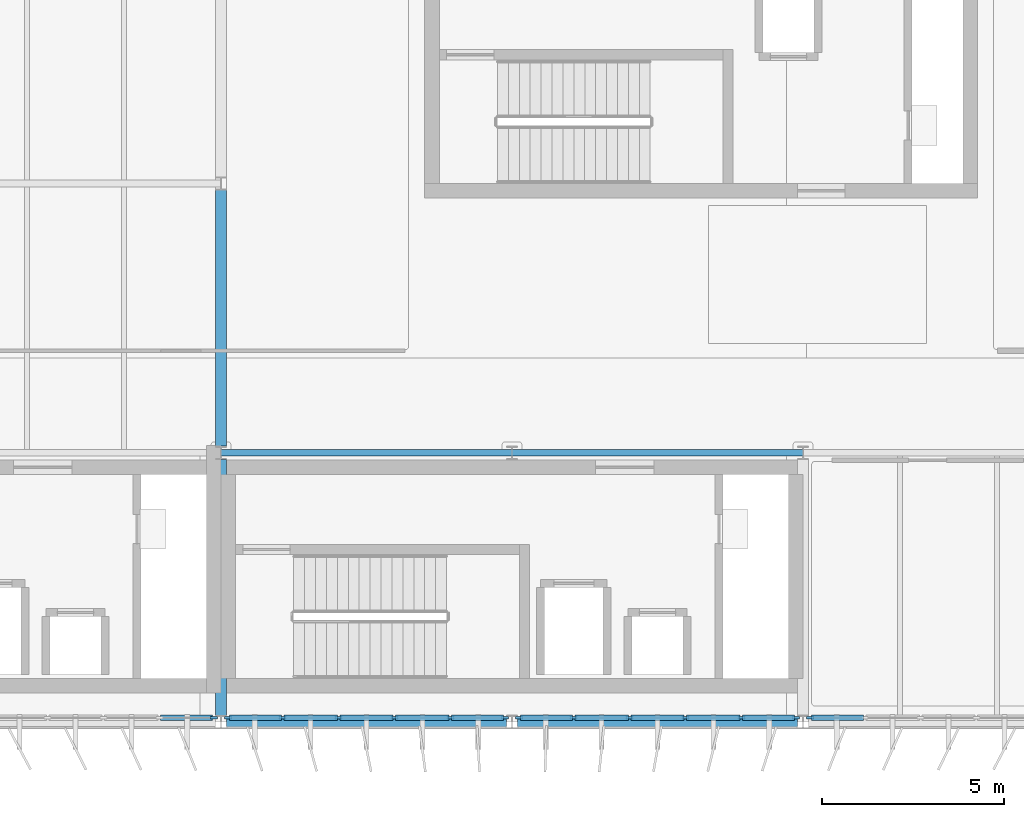
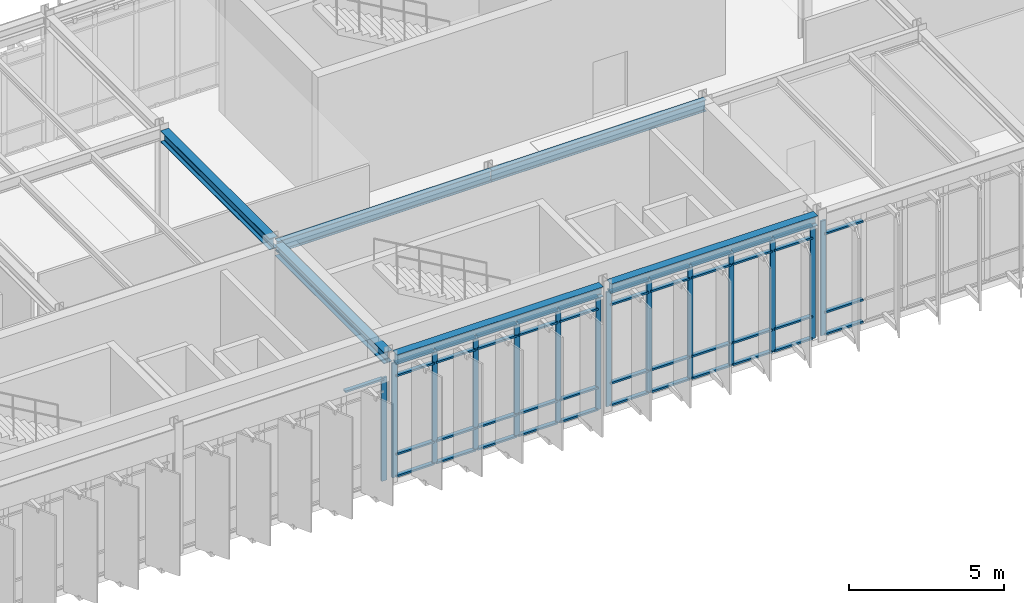
# One storey, part 12 of 48: 58 members, 6 beams, 4 elements without a shape of their own.
"""IFC4 building model written with IfcOpenShell, lengths in metres."""

from ifc_helpers import new_model, si_unit, direction, frame, origin, origin_2d, place, context, subcontext, project, spatial, rectangle, i_section, extrude, material, layer, layer_set, material_profile, profile_set, type_object, element, aggregate, save


model = new_model("IFC4")

# Units and contexts
model_context = context("Model", 3, precision=1e-05, world=origin(), true_north=direction((0.0, 1.0)))
body_context = subcontext(model_context, "Body", "Model", "MODEL_VIEW")
ifc_project = project(units=[si_unit("LENGTHUNIT", "METRE"), si_unit("AREAUNIT", "SQUARE_METRE"), si_unit("VOLUMEUNIT", "CUBIC_METRE"), si_unit("PLANEANGLEUNIT", "RADIAN"), si_unit("MASSUNIT", "GRAM", prefix="KILO")], contexts=[model_context])

# Site, building, storey
site_placement = place(None, origin())
site = spatial("IfcSite", under=ifc_project, at=site_placement, CompositionType="ELEMENT")
building_placement = place(site_placement, origin())
building = spatial("IfcBuilding", under=site, at=building_placement, Name="Valkorina Park Police Headquarters", CompositionType="ELEMENT")
storey_placement = place(building_placement, frame((0.0, 0.0, 18.10009765625)))
storey = spatial("IfcBuildingStorey", under=building, at=storey_placement, Name="L05", CompositionType="ELEMENT", Elevation=18.10009765625)

# Beams
ifc_material_1 = material(Name="Steel S355", Category="steel")
ifc_material_profile_1 = material_profile(ifc_material_1, i_section(OverallWidth=0.300048828125, OverallDepth=0.389892578125, WebThickness=0.010986328125, FlangeThickness=0.01904296875, FilletRadius=0.027099609375, at=origin_2d()), Name="HEA 400")
ifc_profile_set_1 = profile_set([ifc_material_profile_1], Name="Steel S355")
beam_type_1 = type_object("IfcBeamType", Name="BM-S355-HEA400-SPN", PredefinedType="SPANDREL", material=ifc_profile_set_1)
for number, where, z_axis, x_axis, name in (
    (1, (32.949951171875, 37.0, 4.784912109375), (1.0, 0.0, 0.0), (0.0, 1.0, 0.0), "L05 Framing Beam 2458"),
    (2, (40.949951171875, 37.0, 4.784912109375), (1.0, 0.0, 0.0), (0.0, 1.0, 0.0), "L05 Framing Beam 2459"),
):
    element("IfcBeam", number, at=place(storey_placement, frame(where, z_axis=z_axis, x_axis=x_axis)), inside=storey, type_object=beam_type_1, Name=name, PredefinedType="SPANDREL", context=body_context, shape_type="SweptSolid", body=[
        extrude(i_section(OverallWidth=0.300048828125, OverallDepth=0.389892578125, WebThickness=0.010986328125, FlangeThickness=0.01904296875, FilletRadius=0.027099609375, at=origin_2d()), origin(), (0.0, 0.0, 1.0), 7.699951171875),
    ])
ifc_material_profile_2 = material_profile(ifc_material_1, i_section(OverallWidth=0.300048828125, OverallDepth=0.449951171875, WebThickness=0.013916015625, FlangeThickness=0.02587890625, FilletRadius=0.027099609375, at=origin_2d()), Name="HEB 450")
ifc_profile_set_2 = profile_set([ifc_material_profile_2], Name="Steel S355")
beam_type_2 = type_object("IfcBeamType", Name="BM-S355-HEB450-BM", PredefinedType="BEAM", material=ifc_profile_set_2)
for number, where, z_axis, x_axis, name in (
    (3, (32.800048828125, 37.179931640625, 4.7548828125), (0.0, 1.0, 0.0), (-1.0, 0.0, 0.0), "L05 Framing Beam 2538"),
    (4, (32.800048828125, 44.580078125, 4.7548828125), (0.0, 1.0, 0.0), (-1.0, 0.0, 0.0), "L05 Framing Beam 2539"),
):
    element("IfcBeam", number, at=place(storey_placement, frame(where, z_axis=z_axis, x_axis=x_axis)), inside=storey, type_object=beam_type_2, Name=name, PredefinedType="BEAM", context=body_context, shape_type="SweptSolid", body=[
        extrude(i_section(OverallWidth=0.300048828125, OverallDepth=0.449951171875, WebThickness=0.013916015625, FlangeThickness=0.02587890625, FilletRadius=0.027099609375, at=origin_2d()), origin(), (0.0, 0.0, 1.0), 7.0400390625),
    ])
ifc_material_profile_3 = material_profile(ifc_material_1, i_section(OverallWidth=0.18994140625, OverallDepth=0.449951171875, WebThickness=0.009521484375, FlangeThickness=0.0146484375, FilletRadius=0.02099609375, at=origin_2d()), Name="IPE 450")
ifc_profile_set_3 = profile_set([ifc_material_profile_3], Name="Steel S355")
beam_type_3 = type_object("IfcBeamType", Name="BM-S355-IPE450-BM", PredefinedType="BEAM", material=ifc_profile_set_3)
for number, where, z_axis, x_axis, name in (
    (5, (32.806396484375, 44.39990234375, 4.7548828125), (1.0, 0.0, 0.0), (0.0, 1.0, 0.0), "L05 Framing Beam 2472"),
    (6, (40.806396484375, 44.39990234375, 4.7548828125), (1.0, 0.0, 0.0), (0.0, 1.0, 0.0), "L05 Framing Beam 2473"),
):
    element("IfcBeam", number, at=place(storey_placement, frame(where, z_axis=z_axis, x_axis=x_axis)), inside=storey, type_object=beam_type_3, Name=name, PredefinedType="BEAM", context=body_context, shape_type="SweptSolid", body=[
        extrude(i_section(OverallWidth=0.18994140625, OverallDepth=0.449951171875, WebThickness=0.009521484375, FlangeThickness=0.0146484375, FilletRadius=0.02099609375, at=origin_2d()), origin(), (0.0, 0.0, 1.0), 7.9873046875),
    ])

# Curtain wall, member
ifc_material_2 = material(Name="Thermally broken aluminium AW-6060", Category="aluminium")
ifc_layer_1 = layer(ifc_material_2, 0.18994140625)
ifc_layer_set_1 = layer_set([ifc_layer_1], Name="Thermally broken aluminium AW-6060")
curtain_wall_type_1 = type_object("IfcCurtainWallType", Name="CW-V5-7680x4520", PredefinedType="NOTDEFINED", material=ifc_layer_set_1)
curtain_wall_1_placement = place(storey_placement, origin())
curtain_wall_1 = element("IfcCurtainWall", 7, at=curtain_wall_1_placement, inside=storey, type_object=curtain_wall_type_1, Name="L05 Unitised Curtain Wall 068", PredefinedType="NOTDEFINED")
ifc_material_profile_4 = material_profile(ifc_material_2, rectangle(XDim=0.070068359375, YDim=0.18994140625, at=origin_2d()), Name="CWM-02 70x190")
ifc_profile_set_4 = profile_set([ifc_material_profile_4], Name="Thermally broken aluminium AW-6060")
member_type_1 = type_object("IfcMemberType", Name="CWM-70x190", PredefinedType="MULLION", material=ifc_profile_set_4)
member_1_placement = place(storey_placement, frame((48.9951171875, 37.1201171875, 0.0), z_axis=(0.0, 0.0, 1.0), x_axis=(0.0, -1.0, 0.0)))
member_1 = element("IfcMember", 8, at=member_1_placement, type_object=member_type_1, Name="CW-V5-768-452 mullion 6", PredefinedType="MULLION", context=body_context, shape_type="SweptSolid", body=[
    extrude(rectangle(XDim=0.070068359375, YDim=0.18994140625, at=origin_2d()), origin(), (0.0, 0.0, 1.0), 4.52001953125),
])

# Curtain wall, members
curtain_wall_2_placement = place(storey_placement, origin())
curtain_wall_2 = element("IfcCurtainWall", 9, at=curtain_wall_2_placement, inside=storey, type_object=curtain_wall_type_1, Name="L05 Unitised Curtain Wall 069", PredefinedType="NOTDEFINED")
member_2_placement = place(storey_placement, frame((48.60498046875, 37.1201171875, 0.0), z_axis=(0.0, 0.0, 1.0), x_axis=(0.0, -1.0, 0.0)))
member_2 = element("IfcMember", 10, at=member_2_placement, type_object=member_type_1, Name="CW-V5-768-452 mullion 1", PredefinedType="MULLION", context=body_context, shape_type="SweptSolid", body=[
    extrude(rectangle(XDim=0.070068359375, YDim=0.18994140625, at=origin_2d()), origin(), (0.0, 0.0, 1.0), 4.52001953125),
])
member_3_placement = place(storey_placement, frame((47.10400390625, 37.1201171875, 0.0), z_axis=(0.0, 0.0, 1.0), x_axis=(0.0, -1.0, 0.0)))
member_3 = element("IfcMember", 11, at=member_3_placement, type_object=member_type_1, Name="CW-V5-768-452 mullion 2", PredefinedType="MULLION", context=body_context, shape_type="SweptSolid", body=[
    extrude(rectangle(XDim=0.070068359375, YDim=0.18994140625, at=origin_2d()), origin(), (0.0, 0.0, 1.0), 4.52001953125),
])
member_4_placement = place(storey_placement, frame((45.568115234375, 37.1201171875, 0.0), z_axis=(0.0, 0.0, 1.0), x_axis=(0.0, -1.0, 0.0)))
member_4 = element("IfcMember", 12, at=member_4_placement, type_object=member_type_1, Name="CW-V5-768-452 mullion 3", PredefinedType="MULLION", context=body_context, shape_type="SweptSolid", body=[
    extrude(rectangle(XDim=0.070068359375, YDim=0.18994140625, at=origin_2d()), origin(), (0.0, 0.0, 1.0), 4.52001953125),
])
member_5_placement = place(storey_placement, frame((44.031982421875, 37.1201171875, 0.0), z_axis=(0.0, 0.0, 1.0), x_axis=(0.0, -1.0, 0.0)))
member_5 = element("IfcMember", 13, at=member_5_placement, type_object=member_type_1, Name="CW-V5-768-452 mullion 4", PredefinedType="MULLION", context=body_context, shape_type="SweptSolid", body=[
    extrude(rectangle(XDim=0.070068359375, YDim=0.18994140625, at=origin_2d()), origin(), (0.0, 0.0, 1.0), 4.52001953125),
])
member_6_placement = place(storey_placement, frame((42.49609375, 37.1201171875, 0.0), z_axis=(0.0, 0.0, 1.0), x_axis=(0.0, -1.0, 0.0)))
member_6 = element("IfcMember", 14, at=member_6_placement, type_object=member_type_1, Name="CW-V5-768-452 mullion 5", PredefinedType="MULLION", context=body_context, shape_type="SweptSolid", body=[
    extrude(rectangle(XDim=0.070068359375, YDim=0.18994140625, at=origin_2d()), origin(), (0.0, 0.0, 1.0), 4.52001953125),
])
member_7_placement = place(storey_placement, frame((40.9951171875, 37.1201171875, 0.0), z_axis=(0.0, 0.0, 1.0), x_axis=(0.0, -1.0, 0.0)))
member_7 = element("IfcMember", 15, at=member_7_placement, type_object=member_type_1, Name="CW-V5-768-452 mullion 6", PredefinedType="MULLION", context=body_context, shape_type="SweptSolid", body=[
    extrude(rectangle(XDim=0.070068359375, YDim=0.18994140625, at=origin_2d()), origin(), (0.0, 0.0, 1.0), 4.52001953125),
])

curtain_wall_3_placement = place(storey_placement, origin())
curtain_wall_3 = element("IfcCurtainWall", 16, at=curtain_wall_3_placement, inside=storey, type_object=curtain_wall_type_1, Name="L05 Unitised Curtain Wall 070", PredefinedType="NOTDEFINED")
member_8_placement = place(storey_placement, frame((40.60498046875, 37.1201171875, 0.0), z_axis=(0.0, 0.0, 1.0), x_axis=(0.0, -1.0, 0.0)))
member_8 = element("IfcMember", 17, at=member_8_placement, type_object=member_type_1, Name="CW-V5-768-452 mullion 1", PredefinedType="MULLION", context=body_context, shape_type="SweptSolid", body=[
    extrude(rectangle(XDim=0.070068359375, YDim=0.18994140625, at=origin_2d()), origin(), (0.0, 0.0, 1.0), 4.52001953125),
])
member_9_placement = place(storey_placement, frame((39.10400390625, 37.1201171875, 0.0), z_axis=(0.0, 0.0, 1.0), x_axis=(0.0, -1.0, 0.0)))
member_9 = element("IfcMember", 18, at=member_9_placement, type_object=member_type_1, Name="CW-V5-768-452 mullion 2", PredefinedType="MULLION", context=body_context, shape_type="SweptSolid", body=[
    extrude(rectangle(XDim=0.070068359375, YDim=0.18994140625, at=origin_2d()), origin(), (0.0, 0.0, 1.0), 4.52001953125),
])
member_10_placement = place(storey_placement, frame((37.568115234375, 37.1201171875, 0.0), z_axis=(0.0, 0.0, 1.0), x_axis=(0.0, -1.0, 0.0)))
member_10 = element("IfcMember", 19, at=member_10_placement, type_object=member_type_1, Name="CW-V5-768-452 mullion 3", PredefinedType="MULLION", context=body_context, shape_type="SweptSolid", body=[
    extrude(rectangle(XDim=0.070068359375, YDim=0.18994140625, at=origin_2d()), origin(), (0.0, 0.0, 1.0), 4.52001953125),
])
member_11_placement = place(storey_placement, frame((36.031982421875, 37.1201171875, 0.0), z_axis=(0.0, 0.0, 1.0), x_axis=(0.0, -1.0, 0.0)))
member_11 = element("IfcMember", 20, at=member_11_placement, type_object=member_type_1, Name="CW-V5-768-452 mullion 4", PredefinedType="MULLION", context=body_context, shape_type="SweptSolid", body=[
    extrude(rectangle(XDim=0.070068359375, YDim=0.18994140625, at=origin_2d()), origin(), (0.0, 0.0, 1.0), 4.52001953125),
])
member_12_placement = place(storey_placement, frame((34.49609375, 37.1201171875, 0.0), z_axis=(0.0, 0.0, 1.0), x_axis=(0.0, -1.0, 0.0)))
member_12 = element("IfcMember", 21, at=member_12_placement, type_object=member_type_1, Name="CW-V5-768-452 mullion 5", PredefinedType="MULLION", context=body_context, shape_type="SweptSolid", body=[
    extrude(rectangle(XDim=0.070068359375, YDim=0.18994140625, at=origin_2d()), origin(), (0.0, 0.0, 1.0), 4.52001953125),
])
member_13_placement = place(storey_placement, frame((32.9951171875, 37.1201171875, 0.0), z_axis=(0.0, 0.0, 1.0), x_axis=(0.0, -1.0, 0.0)))
member_13 = element("IfcMember", 22, at=member_13_placement, type_object=member_type_1, Name="CW-V5-768-452 mullion 6", PredefinedType="MULLION", context=body_context, shape_type="SweptSolid", body=[
    extrude(rectangle(XDim=0.070068359375, YDim=0.18994140625, at=origin_2d()), origin(), (0.0, 0.0, 1.0), 4.52001953125),
])

# Curtain wall, member
ifc_layer_2 = layer(ifc_material_2, 0.18994140625)
ifc_layer_set_2 = layer_set([ifc_layer_2], Name="Thermally broken aluminium AW-6060")
curtain_wall_type_2 = type_object("IfcCurtainWallType", Name="CW-V5-7680x4070", PredefinedType="NOTDEFINED", material=ifc_layer_set_2)
curtain_wall_4_placement = place(storey_placement, origin())
curtain_wall_4 = element("IfcCurtainWall", 23, at=curtain_wall_4_placement, inside=storey, type_object=curtain_wall_type_2, Name="L05 Unitised Curtain Wall 071", PredefinedType="NOTDEFINED")
member_14_placement = place(storey_placement, frame((32.60498046875, 37.1201171875, 0.0), z_axis=(0.0, 0.0, 1.0), x_axis=(0.0, -1.0, 0.0)))
member_14 = element("IfcMember", 24, at=member_14_placement, type_object=member_type_1, Name="CW-V5-768-407 mullion 1", PredefinedType="MULLION", context=body_context, shape_type="SweptSolid", body=[
    extrude(rectangle(XDim=0.070068359375, YDim=0.18994140625, at=origin_2d()), origin(), (0.0, 0.0, 1.0), 4.06982421875),
])

# Member
ifc_material_profile_5 = material_profile(ifc_material_2, rectangle(XDim=0.14990234375, YDim=0.070068359375, at=origin_2d()), Name="CWT-02 150x70")
ifc_profile_set_5 = profile_set([ifc_material_profile_5], Name="Thermally broken aluminium AW-6060")
member_type_2 = type_object("IfcMemberType", Name="CWT-150x70", PredefinedType="USERDEFINED", material=ifc_profile_set_5)
member_15_placement = place(storey_placement, frame((50.4609375, 37.1201171875, 0.034912109375), z_axis=(-1.0, 0.0, 0.0), x_axis=(0.0, -1.0, 0.0)))
member_15 = element("IfcMember", 25, at=member_15_placement, type_object=member_type_2, Name="CW-V5-768-452 transom 5.1", ObjectType="TRANSOM", PredefinedType="USERDEFINED", context=body_context, shape_type="SweptSolid", body=[
    extrude(rectangle(XDim=0.14990234375, YDim=0.070068359375, at=origin_2d()), origin(), (0.0, 0.0, 1.0), 1.430908203125),
])

member_16_placement = place(storey_placement, frame((50.4609375, 37.1201171875, 0.89990234375), z_axis=(-1.0, 0.0, 0.0), x_axis=(0.0, -1.0, 0.0)))
member_16 = element("IfcMember", 26, at=member_16_placement, type_object=member_type_2, Name="CW-V5-768-452 transom 5.2", ObjectType="TRANSOM", PredefinedType="USERDEFINED", context=body_context, shape_type="SweptSolid", body=[
    extrude(rectangle(XDim=0.14990234375, YDim=0.070068359375, at=origin_2d()), origin(), (0.0, 0.0, 1.0), 1.430908203125),
])

member_17_placement = place(storey_placement, frame((50.4609375, 37.1201171875, 4.0), z_axis=(-1.0, 0.0, 0.0), x_axis=(0.0, -1.0, 0.0)))
member_17 = element("IfcMember", 27, at=member_17_placement, type_object=member_type_2, Name="CW-V5-768-452 transom 5.3", ObjectType="TRANSOM", PredefinedType="USERDEFINED", context=body_context, shape_type="SweptSolid", body=[
    extrude(rectangle(XDim=0.14990234375, YDim=0.070068359375, at=origin_2d()), origin(), (0.0, 0.0, 1.0), 1.430908203125),
])

aggregate(curtain_wall_1, [member_1, member_15, member_16, member_17])

member_18_placement = place(storey_placement, frame((48.570068359375, 37.1201171875, 0.034912109375), z_axis=(-1.0, 0.0, 0.0), x_axis=(0.0, -1.0, 0.0)))
member_18 = element("IfcMember", 28, at=member_18_placement, type_object=member_type_2, Name="CW-V5-768-452 transom 1.1", ObjectType="TRANSOM", PredefinedType="USERDEFINED", context=body_context, shape_type="SweptSolid", body=[
    extrude(rectangle(XDim=0.14990234375, YDim=0.070068359375, at=origin_2d()), origin(), (0.0, 0.0, 1.0), 1.43115234375),
])

member_19_placement = place(storey_placement, frame((48.570068359375, 37.1201171875, 0.89990234375), z_axis=(-1.0, 0.0, 0.0), x_axis=(0.0, -1.0, 0.0)))
member_19 = element("IfcMember", 29, at=member_19_placement, type_object=member_type_2, Name="CW-V5-768-452 transom 1.2", ObjectType="TRANSOM", PredefinedType="USERDEFINED", context=body_context, shape_type="SweptSolid", body=[
    extrude(rectangle(XDim=0.14990234375, YDim=0.070068359375, at=origin_2d()), origin(), (0.0, 0.0, 1.0), 1.43115234375),
])

member_20_placement = place(storey_placement, frame((48.570068359375, 37.1201171875, 4.0), z_axis=(-1.0, 0.0, 0.0), x_axis=(0.0, -1.0, 0.0)))
member_20 = element("IfcMember", 30, at=member_20_placement, type_object=member_type_2, Name="CW-V5-768-452 transom 1.3", ObjectType="TRANSOM", PredefinedType="USERDEFINED", context=body_context, shape_type="SweptSolid", body=[
    extrude(rectangle(XDim=0.14990234375, YDim=0.070068359375, at=origin_2d()), origin(), (0.0, 0.0, 1.0), 1.43115234375),
])

member_21_placement = place(storey_placement, frame((48.570068359375, 37.1201171875, 4.48486328125), z_axis=(-1.0, 0.0, 0.0), x_axis=(0.0, -1.0, 0.0)))
member_21 = element("IfcMember", 31, at=member_21_placement, type_object=member_type_2, Name="CW-V5-768-452 transom 1.4", ObjectType="TRANSOM", PredefinedType="USERDEFINED", context=body_context, shape_type="SweptSolid", body=[
    extrude(rectangle(XDim=0.14990234375, YDim=0.070068359375, at=origin_2d()), origin(), (0.0, 0.0, 1.0), 1.43115234375),
])

member_22_placement = place(storey_placement, frame((47.069091796875, 37.1201171875, 0.034912109375), z_axis=(-1.0, 0.0, 0.0), x_axis=(0.0, -1.0, 0.0)))
member_22 = element("IfcMember", 32, at=member_22_placement, type_object=member_type_2, Name="CW-V5-768-452 transom 2.1", ObjectType="TRANSOM", PredefinedType="USERDEFINED", context=body_context, shape_type="SweptSolid", body=[
    extrude(rectangle(XDim=0.14990234375, YDim=0.070068359375, at=origin_2d()), origin(), (0.0, 0.0, 1.0), 1.466064453125),
])

member_23_placement = place(storey_placement, frame((47.069091796875, 37.1201171875, 0.89990234375), z_axis=(-1.0, 0.0, 0.0), x_axis=(0.0, -1.0, 0.0)))
member_23 = element("IfcMember", 33, at=member_23_placement, type_object=member_type_2, Name="CW-V5-768-452 transom 2.2", ObjectType="TRANSOM", PredefinedType="USERDEFINED", context=body_context, shape_type="SweptSolid", body=[
    extrude(rectangle(XDim=0.14990234375, YDim=0.070068359375, at=origin_2d()), origin(), (0.0, 0.0, 1.0), 1.466064453125),
])

member_24_placement = place(storey_placement, frame((47.069091796875, 37.1201171875, 4.0), z_axis=(-1.0, 0.0, 0.0), x_axis=(0.0, -1.0, 0.0)))
member_24 = element("IfcMember", 34, at=member_24_placement, type_object=member_type_2, Name="CW-V5-768-452 transom 2.3", ObjectType="TRANSOM", PredefinedType="USERDEFINED", context=body_context, shape_type="SweptSolid", body=[
    extrude(rectangle(XDim=0.14990234375, YDim=0.070068359375, at=origin_2d()), origin(), (0.0, 0.0, 1.0), 1.466064453125),
])

member_25_placement = place(storey_placement, frame((47.069091796875, 37.1201171875, 4.48486328125), z_axis=(-1.0, 0.0, 0.0), x_axis=(0.0, -1.0, 0.0)))
member_25 = element("IfcMember", 35, at=member_25_placement, type_object=member_type_2, Name="CW-V5-768-452 transom 2.4", ObjectType="TRANSOM", PredefinedType="USERDEFINED", context=body_context, shape_type="SweptSolid", body=[
    extrude(rectangle(XDim=0.14990234375, YDim=0.070068359375, at=origin_2d()), origin(), (0.0, 0.0, 1.0), 1.466064453125),
])

member_26_placement = place(storey_placement, frame((45.532958984375, 37.1201171875, 0.034912109375), z_axis=(-1.0, 0.0, 0.0), x_axis=(0.0, -1.0, 0.0)))
member_26 = element("IfcMember", 36, at=member_26_placement, type_object=member_type_2, Name="CW-V5-768-452 transom 3.1", ObjectType="TRANSOM", PredefinedType="USERDEFINED", context=body_context, shape_type="SweptSolid", body=[
    extrude(rectangle(XDim=0.14990234375, YDim=0.070068359375, at=origin_2d()), origin(), (0.0, 0.0, 1.0), 1.466064453125),
])

member_27_placement = place(storey_placement, frame((45.532958984375, 37.1201171875, 0.89990234375), z_axis=(-1.0, 0.0, 0.0), x_axis=(0.0, -1.0, 0.0)))
member_27 = element("IfcMember", 37, at=member_27_placement, type_object=member_type_2, Name="CW-V5-768-452 transom 3.2", ObjectType="TRANSOM", PredefinedType="USERDEFINED", context=body_context, shape_type="SweptSolid", body=[
    extrude(rectangle(XDim=0.14990234375, YDim=0.070068359375, at=origin_2d()), origin(), (0.0, 0.0, 1.0), 1.466064453125),
])

member_28_placement = place(storey_placement, frame((45.532958984375, 37.1201171875, 4.0), z_axis=(-1.0, 0.0, 0.0), x_axis=(0.0, -1.0, 0.0)))
member_28 = element("IfcMember", 38, at=member_28_placement, type_object=member_type_2, Name="CW-V5-768-452 transom 3.3", ObjectType="TRANSOM", PredefinedType="USERDEFINED", context=body_context, shape_type="SweptSolid", body=[
    extrude(rectangle(XDim=0.14990234375, YDim=0.070068359375, at=origin_2d()), origin(), (0.0, 0.0, 1.0), 1.466064453125),
])

member_29_placement = place(storey_placement, frame((45.532958984375, 37.1201171875, 4.48486328125), z_axis=(-1.0, 0.0, 0.0), x_axis=(0.0, -1.0, 0.0)))
member_29 = element("IfcMember", 39, at=member_29_placement, type_object=member_type_2, Name="CW-V5-768-452 transom 3.4", ObjectType="TRANSOM", PredefinedType="USERDEFINED", context=body_context, shape_type="SweptSolid", body=[
    extrude(rectangle(XDim=0.14990234375, YDim=0.070068359375, at=origin_2d()), origin(), (0.0, 0.0, 1.0), 1.466064453125),
])

member_30_placement = place(storey_placement, frame((43.9970703125, 37.1201171875, 0.034912109375), z_axis=(-1.0, 0.0, 0.0), x_axis=(0.0, -1.0, 0.0)))
member_30 = element("IfcMember", 40, at=member_30_placement, type_object=member_type_2, Name="CW-V5-768-452 transom 4.1", ObjectType="TRANSOM", PredefinedType="USERDEFINED", context=body_context, shape_type="SweptSolid", body=[
    extrude(rectangle(XDim=0.14990234375, YDim=0.070068359375, at=origin_2d()), origin(), (0.0, 0.0, 1.0), 1.466064453125),
])

member_31_placement = place(storey_placement, frame((43.9970703125, 37.1201171875, 0.89990234375), z_axis=(-1.0, 0.0, 0.0), x_axis=(0.0, -1.0, 0.0)))
member_31 = element("IfcMember", 41, at=member_31_placement, type_object=member_type_2, Name="CW-V5-768-452 transom 4.2", ObjectType="TRANSOM", PredefinedType="USERDEFINED", context=body_context, shape_type="SweptSolid", body=[
    extrude(rectangle(XDim=0.14990234375, YDim=0.070068359375, at=origin_2d()), origin(), (0.0, 0.0, 1.0), 1.466064453125),
])

member_32_placement = place(storey_placement, frame((43.9970703125, 37.1201171875, 4.0), z_axis=(-1.0, 0.0, 0.0), x_axis=(0.0, -1.0, 0.0)))
member_32 = element("IfcMember", 42, at=member_32_placement, type_object=member_type_2, Name="CW-V5-768-452 transom 4.3", ObjectType="TRANSOM", PredefinedType="USERDEFINED", context=body_context, shape_type="SweptSolid", body=[
    extrude(rectangle(XDim=0.14990234375, YDim=0.070068359375, at=origin_2d()), origin(), (0.0, 0.0, 1.0), 1.466064453125),
])

member_33_placement = place(storey_placement, frame((43.9970703125, 37.1201171875, 4.48486328125), z_axis=(-1.0, 0.0, 0.0), x_axis=(0.0, -1.0, 0.0)))
member_33 = element("IfcMember", 43, at=member_33_placement, type_object=member_type_2, Name="CW-V5-768-452 transom 4.4", ObjectType="TRANSOM", PredefinedType="USERDEFINED", context=body_context, shape_type="SweptSolid", body=[
    extrude(rectangle(XDim=0.14990234375, YDim=0.070068359375, at=origin_2d()), origin(), (0.0, 0.0, 1.0), 1.466064453125),
])

member_34_placement = place(storey_placement, frame((42.4609375, 37.1201171875, 0.034912109375), z_axis=(-1.0, 0.0, 0.0), x_axis=(0.0, -1.0, 0.0)))
member_34 = element("IfcMember", 44, at=member_34_placement, type_object=member_type_2, Name="CW-V5-768-452 transom 5.1", ObjectType="TRANSOM", PredefinedType="USERDEFINED", context=body_context, shape_type="SweptSolid", body=[
    extrude(rectangle(XDim=0.14990234375, YDim=0.070068359375, at=origin_2d()), origin(), (0.0, 0.0, 1.0), 1.430908203125),
])

member_35_placement = place(storey_placement, frame((42.4609375, 37.1201171875, 0.89990234375), z_axis=(-1.0, 0.0, 0.0), x_axis=(0.0, -1.0, 0.0)))
member_35 = element("IfcMember", 45, at=member_35_placement, type_object=member_type_2, Name="CW-V5-768-452 transom 5.2", ObjectType="TRANSOM", PredefinedType="USERDEFINED", context=body_context, shape_type="SweptSolid", body=[
    extrude(rectangle(XDim=0.14990234375, YDim=0.070068359375, at=origin_2d()), origin(), (0.0, 0.0, 1.0), 1.430908203125),
])

member_36_placement = place(storey_placement, frame((42.4609375, 37.1201171875, 4.0), z_axis=(-1.0, 0.0, 0.0), x_axis=(0.0, -1.0, 0.0)))
member_36 = element("IfcMember", 46, at=member_36_placement, type_object=member_type_2, Name="CW-V5-768-452 transom 5.3", ObjectType="TRANSOM", PredefinedType="USERDEFINED", context=body_context, shape_type="SweptSolid", body=[
    extrude(rectangle(XDim=0.14990234375, YDim=0.070068359375, at=origin_2d()), origin(), (0.0, 0.0, 1.0), 1.430908203125),
])

member_37_placement = place(storey_placement, frame((42.4609375, 37.1201171875, 4.48486328125), z_axis=(-1.0, 0.0, 0.0), x_axis=(0.0, -1.0, 0.0)))
member_37 = element("IfcMember", 47, at=member_37_placement, type_object=member_type_2, Name="CW-V5-768-452 transom 5.4", ObjectType="TRANSOM", PredefinedType="USERDEFINED", context=body_context, shape_type="SweptSolid", body=[
    extrude(rectangle(XDim=0.14990234375, YDim=0.070068359375, at=origin_2d()), origin(), (0.0, 0.0, 1.0), 1.430908203125),
])

aggregate(curtain_wall_2, [member_2, member_3, member_4, member_5, member_6, member_7, member_18, member_19, member_20, member_21, member_22, member_23, member_24, member_25, member_26, member_27, member_28, member_29, member_30, member_31, member_32, member_33, member_34, member_35, member_36, member_37])

member_38_placement = place(storey_placement, frame((40.570068359375, 37.1201171875, 0.034912109375), z_axis=(-1.0, 0.0, 0.0), x_axis=(0.0, -1.0, 0.0)))
member_38 = element("IfcMember", 48, at=member_38_placement, type_object=member_type_2, Name="CW-V5-768-452 transom 1.1", ObjectType="TRANSOM", PredefinedType="USERDEFINED", context=body_context, shape_type="SweptSolid", body=[
    extrude(rectangle(XDim=0.14990234375, YDim=0.070068359375, at=origin_2d()), origin(), (0.0, 0.0, 1.0), 1.43115234375),
])

member_39_placement = place(storey_placement, frame((40.570068359375, 37.1201171875, 0.89990234375), z_axis=(-1.0, 0.0, 0.0), x_axis=(0.0, -1.0, 0.0)))
member_39 = element("IfcMember", 49, at=member_39_placement, type_object=member_type_2, Name="CW-V5-768-452 transom 1.2", ObjectType="TRANSOM", PredefinedType="USERDEFINED", context=body_context, shape_type="SweptSolid", body=[
    extrude(rectangle(XDim=0.14990234375, YDim=0.070068359375, at=origin_2d()), origin(), (0.0, 0.0, 1.0), 1.43115234375),
])

member_40_placement = place(storey_placement, frame((40.570068359375, 37.1201171875, 4.0), z_axis=(-1.0, 0.0, 0.0), x_axis=(0.0, -1.0, 0.0)))
member_40 = element("IfcMember", 50, at=member_40_placement, type_object=member_type_2, Name="CW-V5-768-452 transom 1.3", ObjectType="TRANSOM", PredefinedType="USERDEFINED", context=body_context, shape_type="SweptSolid", body=[
    extrude(rectangle(XDim=0.14990234375, YDim=0.070068359375, at=origin_2d()), origin(), (0.0, 0.0, 1.0), 1.43115234375),
])

member_41_placement = place(storey_placement, frame((40.570068359375, 37.1201171875, 4.48486328125), z_axis=(-1.0, 0.0, 0.0), x_axis=(0.0, -1.0, 0.0)))
member_41 = element("IfcMember", 51, at=member_41_placement, type_object=member_type_2, Name="CW-V5-768-452 transom 1.4", ObjectType="TRANSOM", PredefinedType="USERDEFINED", context=body_context, shape_type="SweptSolid", body=[
    extrude(rectangle(XDim=0.14990234375, YDim=0.070068359375, at=origin_2d()), origin(), (0.0, 0.0, 1.0), 1.43115234375),
])

member_42_placement = place(storey_placement, frame((39.069091796875, 37.1201171875, 0.034912109375), z_axis=(-1.0, 0.0, 0.0), x_axis=(0.0, -1.0, 0.0)))
member_42 = element("IfcMember", 52, at=member_42_placement, type_object=member_type_2, Name="CW-V5-768-452 transom 2.1", ObjectType="TRANSOM", PredefinedType="USERDEFINED", context=body_context, shape_type="SweptSolid", body=[
    extrude(rectangle(XDim=0.14990234375, YDim=0.070068359375, at=origin_2d()), origin(), (0.0, 0.0, 1.0), 1.466064453125),
])

member_43_placement = place(storey_placement, frame((39.069091796875, 37.1201171875, 0.89990234375), z_axis=(-1.0, 0.0, 0.0), x_axis=(0.0, -1.0, 0.0)))
member_43 = element("IfcMember", 53, at=member_43_placement, type_object=member_type_2, Name="CW-V5-768-452 transom 2.2", ObjectType="TRANSOM", PredefinedType="USERDEFINED", context=body_context, shape_type="SweptSolid", body=[
    extrude(rectangle(XDim=0.14990234375, YDim=0.070068359375, at=origin_2d()), origin(), (0.0, 0.0, 1.0), 1.466064453125),
])

member_44_placement = place(storey_placement, frame((39.069091796875, 37.1201171875, 4.0), z_axis=(-1.0, 0.0, 0.0), x_axis=(0.0, -1.0, 0.0)))
member_44 = element("IfcMember", 54, at=member_44_placement, type_object=member_type_2, Name="CW-V5-768-452 transom 2.3", ObjectType="TRANSOM", PredefinedType="USERDEFINED", context=body_context, shape_type="SweptSolid", body=[
    extrude(rectangle(XDim=0.14990234375, YDim=0.070068359375, at=origin_2d()), origin(), (0.0, 0.0, 1.0), 1.466064453125),
])

member_45_placement = place(storey_placement, frame((39.069091796875, 37.1201171875, 4.48486328125), z_axis=(-1.0, 0.0, 0.0), x_axis=(0.0, -1.0, 0.0)))
member_45 = element("IfcMember", 55, at=member_45_placement, type_object=member_type_2, Name="CW-V5-768-452 transom 2.4", ObjectType="TRANSOM", PredefinedType="USERDEFINED", context=body_context, shape_type="SweptSolid", body=[
    extrude(rectangle(XDim=0.14990234375, YDim=0.070068359375, at=origin_2d()), origin(), (0.0, 0.0, 1.0), 1.466064453125),
])

member_46_placement = place(storey_placement, frame((37.532958984375, 37.1201171875, 0.034912109375), z_axis=(-1.0, 0.0, 0.0), x_axis=(0.0, -1.0, 0.0)))
member_46 = element("IfcMember", 56, at=member_46_placement, type_object=member_type_2, Name="CW-V5-768-452 transom 3.1", ObjectType="TRANSOM", PredefinedType="USERDEFINED", context=body_context, shape_type="SweptSolid", body=[
    extrude(rectangle(XDim=0.14990234375, YDim=0.070068359375, at=origin_2d()), origin(), (0.0, 0.0, 1.0), 1.466064453125),
])

member_47_placement = place(storey_placement, frame((37.532958984375, 37.1201171875, 0.89990234375), z_axis=(-1.0, 0.0, 0.0), x_axis=(0.0, -1.0, 0.0)))
member_47 = element("IfcMember", 57, at=member_47_placement, type_object=member_type_2, Name="CW-V5-768-452 transom 3.2", ObjectType="TRANSOM", PredefinedType="USERDEFINED", context=body_context, shape_type="SweptSolid", body=[
    extrude(rectangle(XDim=0.14990234375, YDim=0.070068359375, at=origin_2d()), origin(), (0.0, 0.0, 1.0), 1.466064453125),
])

member_48_placement = place(storey_placement, frame((37.532958984375, 37.1201171875, 4.0), z_axis=(-1.0, 0.0, 0.0), x_axis=(0.0, -1.0, 0.0)))
member_48 = element("IfcMember", 58, at=member_48_placement, type_object=member_type_2, Name="CW-V5-768-452 transom 3.3", ObjectType="TRANSOM", PredefinedType="USERDEFINED", context=body_context, shape_type="SweptSolid", body=[
    extrude(rectangle(XDim=0.14990234375, YDim=0.070068359375, at=origin_2d()), origin(), (0.0, 0.0, 1.0), 1.466064453125),
])

member_49_placement = place(storey_placement, frame((37.532958984375, 37.1201171875, 4.48486328125), z_axis=(-1.0, 0.0, 0.0), x_axis=(0.0, -1.0, 0.0)))
member_49 = element("IfcMember", 59, at=member_49_placement, type_object=member_type_2, Name="CW-V5-768-452 transom 3.4", ObjectType="TRANSOM", PredefinedType="USERDEFINED", context=body_context, shape_type="SweptSolid", body=[
    extrude(rectangle(XDim=0.14990234375, YDim=0.070068359375, at=origin_2d()), origin(), (0.0, 0.0, 1.0), 1.466064453125),
])

member_50_placement = place(storey_placement, frame((35.9970703125, 37.1201171875, 0.034912109375), z_axis=(-1.0, 0.0, 0.0), x_axis=(0.0, -1.0, 0.0)))
member_50 = element("IfcMember", 60, at=member_50_placement, type_object=member_type_2, Name="CW-V5-768-452 transom 4.1", ObjectType="TRANSOM", PredefinedType="USERDEFINED", context=body_context, shape_type="SweptSolid", body=[
    extrude(rectangle(XDim=0.14990234375, YDim=0.070068359375, at=origin_2d()), origin(), (0.0, 0.0, 1.0), 1.466064453125),
])

member_51_placement = place(storey_placement, frame((35.9970703125, 37.1201171875, 0.89990234375), z_axis=(-1.0, 0.0, 0.0), x_axis=(0.0, -1.0, 0.0)))
member_51 = element("IfcMember", 61, at=member_51_placement, type_object=member_type_2, Name="CW-V5-768-452 transom 4.2", ObjectType="TRANSOM", PredefinedType="USERDEFINED", context=body_context, shape_type="SweptSolid", body=[
    extrude(rectangle(XDim=0.14990234375, YDim=0.070068359375, at=origin_2d()), origin(), (0.0, 0.0, 1.0), 1.466064453125),
])

member_52_placement = place(storey_placement, frame((35.9970703125, 37.1201171875, 4.0), z_axis=(-1.0, 0.0, 0.0), x_axis=(0.0, -1.0, 0.0)))
member_52 = element("IfcMember", 62, at=member_52_placement, type_object=member_type_2, Name="CW-V5-768-452 transom 4.3", ObjectType="TRANSOM", PredefinedType="USERDEFINED", context=body_context, shape_type="SweptSolid", body=[
    extrude(rectangle(XDim=0.14990234375, YDim=0.070068359375, at=origin_2d()), origin(), (0.0, 0.0, 1.0), 1.466064453125),
])

member_53_placement = place(storey_placement, frame((35.9970703125, 37.1201171875, 4.48486328125), z_axis=(-1.0, 0.0, 0.0), x_axis=(0.0, -1.0, 0.0)))
member_53 = element("IfcMember", 63, at=member_53_placement, type_object=member_type_2, Name="CW-V5-768-452 transom 4.4", ObjectType="TRANSOM", PredefinedType="USERDEFINED", context=body_context, shape_type="SweptSolid", body=[
    extrude(rectangle(XDim=0.14990234375, YDim=0.070068359375, at=origin_2d()), origin(), (0.0, 0.0, 1.0), 1.466064453125),
])

member_54_placement = place(storey_placement, frame((34.4609375, 37.1201171875, 0.034912109375), z_axis=(-1.0, 0.0, 0.0), x_axis=(0.0, -1.0, 0.0)))
member_54 = element("IfcMember", 64, at=member_54_placement, type_object=member_type_2, Name="CW-V5-768-452 transom 5.1", ObjectType="TRANSOM", PredefinedType="USERDEFINED", context=body_context, shape_type="SweptSolid", body=[
    extrude(rectangle(XDim=0.14990234375, YDim=0.070068359375, at=origin_2d()), origin(), (0.0, 0.0, 1.0), 1.430908203125),
])

member_55_placement = place(storey_placement, frame((34.4609375, 37.1201171875, 0.89990234375), z_axis=(-1.0, 0.0, 0.0), x_axis=(0.0, -1.0, 0.0)))
member_55 = element("IfcMember", 65, at=member_55_placement, type_object=member_type_2, Name="CW-V5-768-452 transom 5.2", ObjectType="TRANSOM", PredefinedType="USERDEFINED", context=body_context, shape_type="SweptSolid", body=[
    extrude(rectangle(XDim=0.14990234375, YDim=0.070068359375, at=origin_2d()), origin(), (0.0, 0.0, 1.0), 1.430908203125),
])

member_56_placement = place(storey_placement, frame((34.4609375, 37.1201171875, 4.0), z_axis=(-1.0, 0.0, 0.0), x_axis=(0.0, -1.0, 0.0)))
member_56 = element("IfcMember", 66, at=member_56_placement, type_object=member_type_2, Name="CW-V5-768-452 transom 5.3", ObjectType="TRANSOM", PredefinedType="USERDEFINED", context=body_context, shape_type="SweptSolid", body=[
    extrude(rectangle(XDim=0.14990234375, YDim=0.070068359375, at=origin_2d()), origin(), (0.0, 0.0, 1.0), 1.430908203125),
])

member_57_placement = place(storey_placement, frame((34.4609375, 37.1201171875, 4.48486328125), z_axis=(-1.0, 0.0, 0.0), x_axis=(0.0, -1.0, 0.0)))
member_57 = element("IfcMember", 67, at=member_57_placement, type_object=member_type_2, Name="CW-V5-768-452 transom 5.4", ObjectType="TRANSOM", PredefinedType="USERDEFINED", context=body_context, shape_type="SweptSolid", body=[
    extrude(rectangle(XDim=0.14990234375, YDim=0.070068359375, at=origin_2d()), origin(), (0.0, 0.0, 1.0), 1.430908203125),
])

aggregate(curtain_wall_3, [member_8, member_9, member_10, member_11, member_12, member_13, member_38, member_39, member_40, member_41, member_42, member_43, member_44, member_45, member_46, member_47, member_48, member_49, member_50, member_51, member_52, member_53, member_54, member_55, member_56, member_57])

member_58_placement = place(storey_placement, frame((32.570068359375, 37.1201171875, 4.034912109375), z_axis=(-1.0, 0.0, 0.0), x_axis=(0.0, -1.0, 0.0)))
member_58 = element("IfcMember", 68, at=member_58_placement, type_object=member_type_2, Name="CW-V5-768-407 transom 1.4", ObjectType="TRANSOM", PredefinedType="USERDEFINED", context=body_context, shape_type="SweptSolid", body=[
    extrude(rectangle(XDim=0.14990234375, YDim=0.070068359375, at=origin_2d()), origin(), (0.0, 0.0, 1.0), 1.43115234375),
])

aggregate(curtain_wall_4, [member_14, member_58])

save(model, "model.ifc")
